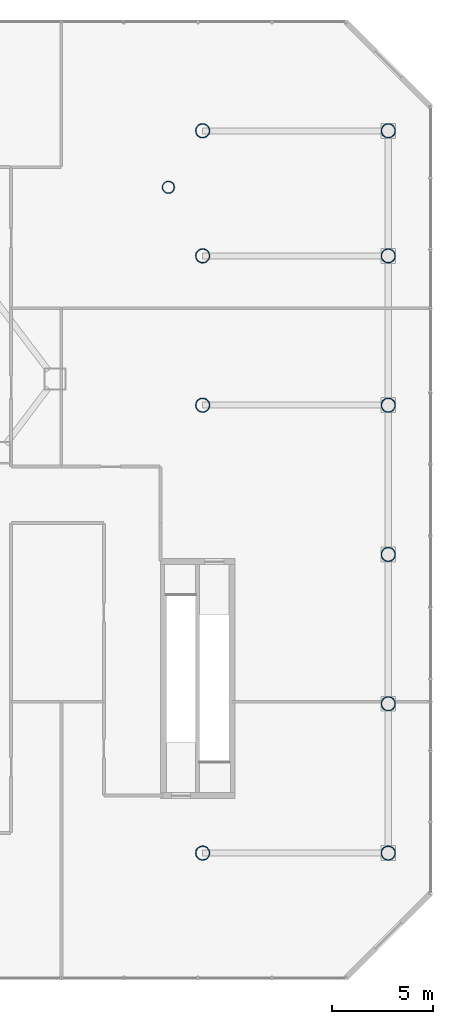
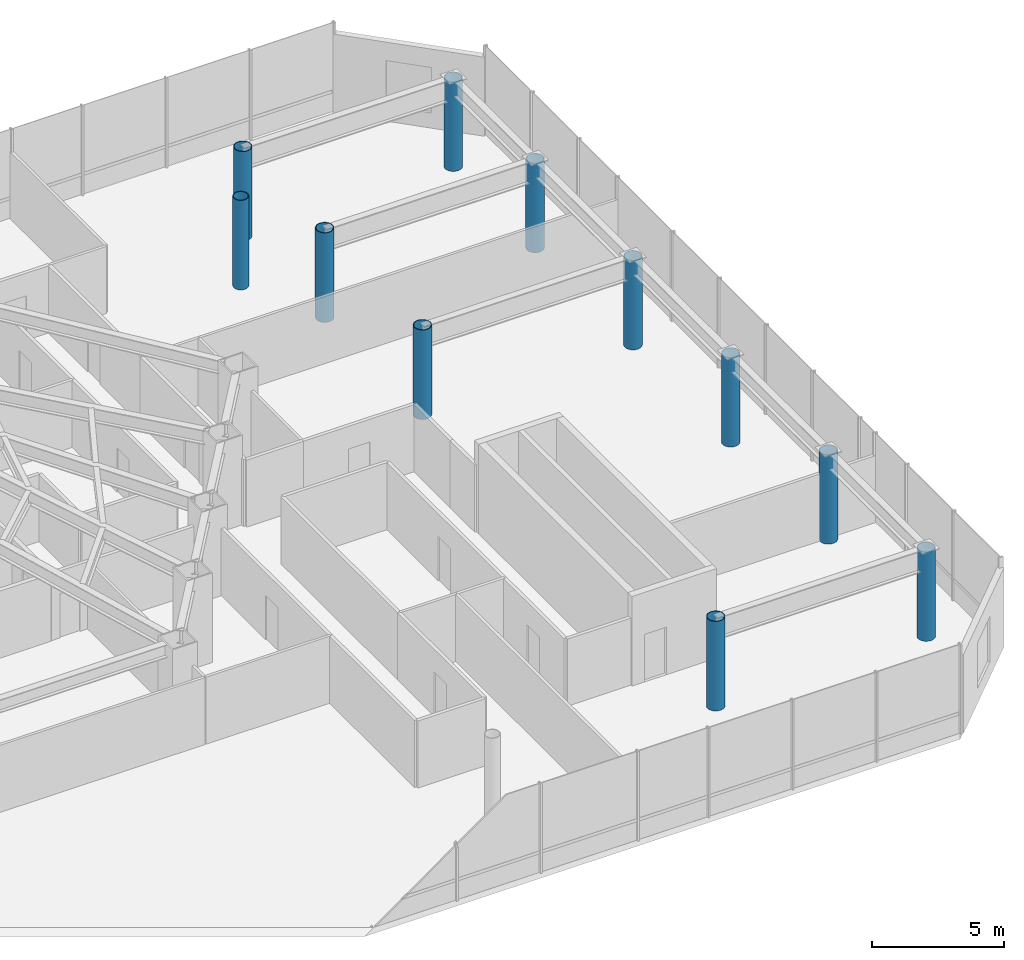
# One storey, part 4 of 43: 11 columns.
"""IFC4 building model written with IfcOpenShell, lengths in metres."""

from ifc_helpers import new_model, si_unit, direction, frame, origin, origin_2d, place, context, subcontext, project, spatial, hollow_circle, extrude, material, material_profile, profile_set, type_object, element, save


model = new_model("IFC4")

# Units and contexts
model_context = context("Model", 3, precision=1e-05, world=origin(), true_north=direction((0.0, 1.0)))
body_context = subcontext(model_context, "Body", "Model", "MODEL_VIEW")
ifc_project = project(units=[si_unit("LENGTHUNIT", "METRE"), si_unit("AREAUNIT", "SQUARE_METRE"), si_unit("VOLUMEUNIT", "CUBIC_METRE"), si_unit("PLANEANGLEUNIT", "RADIAN"), si_unit("MASSUNIT", "GRAM", prefix="KILO")], contexts=[model_context])

# Site, building, storey
site_placement = place(None, origin())
site = spatial("IfcSite", under=ifc_project, at=site_placement, CompositionType="ELEMENT")
building_placement = place(site_placement, origin())
building = spatial("IfcBuilding", under=site, at=building_placement, Name="Zarrinselat Tower", CompositionType="ELEMENT")
storey_placement = place(building_placement, frame((0.0, 0.0, 5.10009765625)))
storey = spatial("IfcBuildingStorey", under=building, at=storey_placement, Name="L01", CompositionType="ELEMENT", Elevation=5.10009765625)

# Columns
ifc_material_1 = material(Name="Steel S355J2", Category="steel")
ifc_material_profile_1 = material_profile(ifc_material_1, hollow_circle(Radius=0.304931640625, WallThickness=0.02490234375, at=origin_2d()), Name="CHS 610x25")
ifc_profile_set_1 = profile_set([ifc_material_profile_1], Name="Steel S355J2")
column_type_1 = type_object("IfcColumnType", Name="COL-CHS610", PredefinedType="COLUMN", material=ifc_profile_set_1)
column_1_placement = place(storey_placement, frame((66.300048828125, 44.0, 0.0), z_axis=(0.0, 0.0, 1.0), x_axis=(1.0, 0.0, 0.0)))
element("IfcColumn", 1, at=column_1_placement, inside=storey, type_object=column_type_1, Name="L01 Garden Deck Support Column 4", PredefinedType="COLUMN", context=body_context, shape_type="SweptSolid", body=[
    extrude(hollow_circle(Radius=0.304931640625, WallThickness=0.02490234375, at=origin_2d()), origin(), (0.0, 0.0, 1.0), 4.139892578125),
])
ifc_material_2 = material(Name="Steel S460M", Category="steel")
ifc_material_profile_2 = material_profile(ifc_material_2, hollow_circle(Radius=0.35546875, WallThickness=0.030029296875, at=origin_2d()), Name="CHS 711x30")
ifc_profile_set_2 = profile_set([ifc_material_profile_2], Name="Steel S460M")
column_type_2 = type_object("IfcColumnType", Name="COL-CHS711", PredefinedType="COLUMN", material=ifc_profile_set_2)
column_2_placement = place(storey_placement, frame((77.199951171875, 11.0, 0.0), z_axis=(0.0, 0.0, 1.0), x_axis=(1.0, 0.0, 0.0)))
element("IfcColumn", 2, at=column_2_placement, inside=storey, type_object=column_type_2, Name="L01 Podium Outer Column E-11", PredefinedType="COLUMN", context=body_context, shape_type="SweptSolid", body=[
    extrude(hollow_circle(Radius=0.35546875, WallThickness=0.030029296875, at=origin_2d()), origin(), (0.0, 0.0, 1.0), 4.10986328125),
])
column_3_placement = place(storey_placement, frame((68.0, 11.0, 0.0), z_axis=(0.0, 0.0, 1.0), x_axis=(1.0, 0.0, 0.0)))
element("IfcColumn", 3, at=column_3_placement, inside=storey, type_object=column_type_2, Name="L01 Podium Anchor Column E-11", PredefinedType="COLUMN", context=body_context, shape_type="SweptSolid", body=[
    extrude(hollow_circle(Radius=0.35546875, WallThickness=0.030029296875, at=origin_2d()), origin(), (0.0, 0.0, 1.0), 4.139892578125),
])
column_4_placement = place(storey_placement, frame((77.199951171875, 33.199951171875, 0.0), z_axis=(0.0, 0.0, 1.0), x_axis=(1.0, 0.0, 0.0)))
element("IfcColumn", 4, at=column_4_placement, inside=storey, type_object=column_type_2, Name="L01 Podium Outer Column E-33", PredefinedType="COLUMN", context=body_context, shape_type="SweptSolid", body=[
    extrude(hollow_circle(Radius=0.35546875, WallThickness=0.030029296875, at=origin_2d()), origin(), (0.0, 0.0, 1.0), 4.10986328125),
])
column_5_placement = place(storey_placement, frame((68.0, 33.199951171875, 0.0), z_axis=(0.0, 0.0, 1.0), x_axis=(1.0, 0.0, 0.0)))
element("IfcColumn", 5, at=column_5_placement, inside=storey, type_object=column_type_2, Name="L01 Podium Anchor Column E-33", PredefinedType="COLUMN", context=body_context, shape_type="SweptSolid", body=[
    extrude(hollow_circle(Radius=0.35546875, WallThickness=0.030029296875, at=origin_2d()), origin(), (0.0, 0.0, 1.0), 4.139892578125),
])
column_6_placement = place(storey_placement, frame((77.199951171875, 40.60009765625, 0.0), z_axis=(0.0, 0.0, 1.0), x_axis=(1.0, 0.0, 0.0)))
element("IfcColumn", 6, at=column_6_placement, inside=storey, type_object=column_type_2, Name="L01 Podium Outer Column E-40", PredefinedType="COLUMN", context=body_context, shape_type="SweptSolid", body=[
    extrude(hollow_circle(Radius=0.35546875, WallThickness=0.030029296875, at=origin_2d()), origin(), (0.0, 0.0, 1.0), 4.10986328125),
])
column_7_placement = place(storey_placement, frame((68.0, 40.60009765625, 0.0), z_axis=(0.0, 0.0, 1.0), x_axis=(1.0, 0.0, 0.0)))
element("IfcColumn", 7, at=column_7_placement, inside=storey, type_object=column_type_2, Name="L01 Podium Anchor Column E-40", PredefinedType="COLUMN", context=body_context, shape_type="SweptSolid", body=[
    extrude(hollow_circle(Radius=0.35546875, WallThickness=0.030029296875, at=origin_2d()), origin(), (0.0, 0.0, 1.0), 4.139892578125),
])
column_8_placement = place(storey_placement, frame((77.199951171875, 46.800048828125, 0.0), z_axis=(0.0, 0.0, 1.0), x_axis=(1.0, 0.0, 0.0)))
element("IfcColumn", 8, at=column_8_placement, inside=storey, type_object=column_type_2, Name="L01 Podium Outer Column E-46", PredefinedType="COLUMN", context=body_context, shape_type="SweptSolid", body=[
    extrude(hollow_circle(Radius=0.35546875, WallThickness=0.030029296875, at=origin_2d()), origin(), (0.0, 0.0, 1.0), 4.10986328125),
])
column_9_placement = place(storey_placement, frame((68.0, 46.800048828125, 0.0), z_axis=(0.0, 0.0, 1.0), x_axis=(1.0, 0.0, 0.0)))
element("IfcColumn", 9, at=column_9_placement, inside=storey, type_object=column_type_2, Name="L01 Podium Anchor Column E-46", PredefinedType="COLUMN", context=body_context, shape_type="SweptSolid", body=[
    extrude(hollow_circle(Radius=0.35546875, WallThickness=0.030029296875, at=origin_2d()), origin(), (0.0, 0.0, 1.0), 4.139892578125),
])
for number, where, z_axis, x_axis, name in (
    (10, (77.199951171875, 18.39990234375, 0.0), (0.0, 0.0, 1.0), (1.0, 0.0, 0.0), "L01 Lower Podium Column 05"),
    (11, (77.199951171875, 25.800048828125, 0.0), (0.0, 0.0, 1.0), (1.0, 0.0, 0.0), "L01 Lower Podium Column 06"),
):
    element("IfcColumn", number, at=place(storey_placement, frame(where, z_axis=z_axis, x_axis=x_axis)), inside=storey, type_object=column_type_2, Name=name, PredefinedType="COLUMN", context=body_context, shape_type="SweptSolid", body=[
        extrude(hollow_circle(Radius=0.35546875, WallThickness=0.030029296875, at=origin_2d()), origin(), (0.0, 0.0, 1.0), 4.10986328125),
    ])

save(model, "model.ifc")
